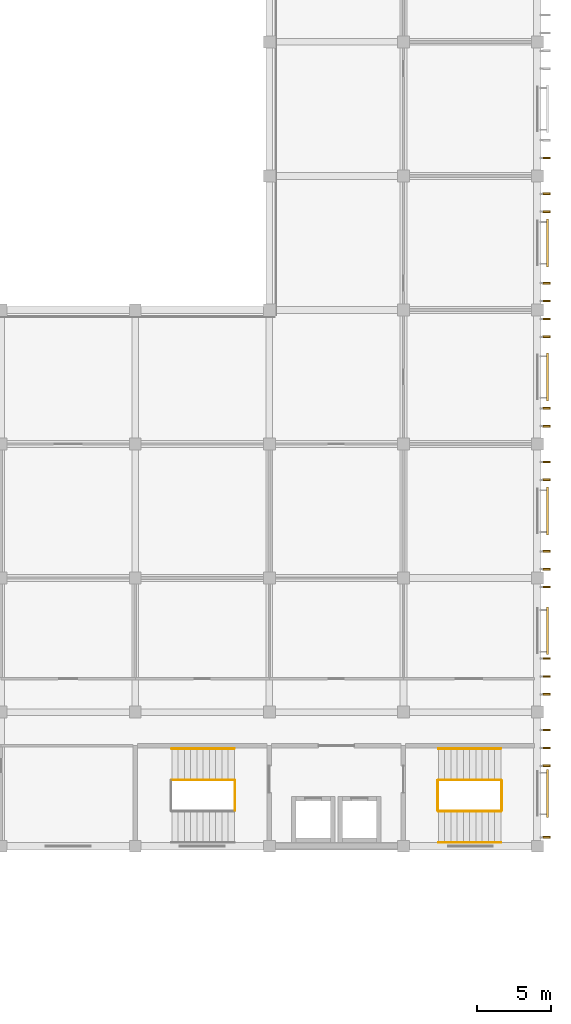
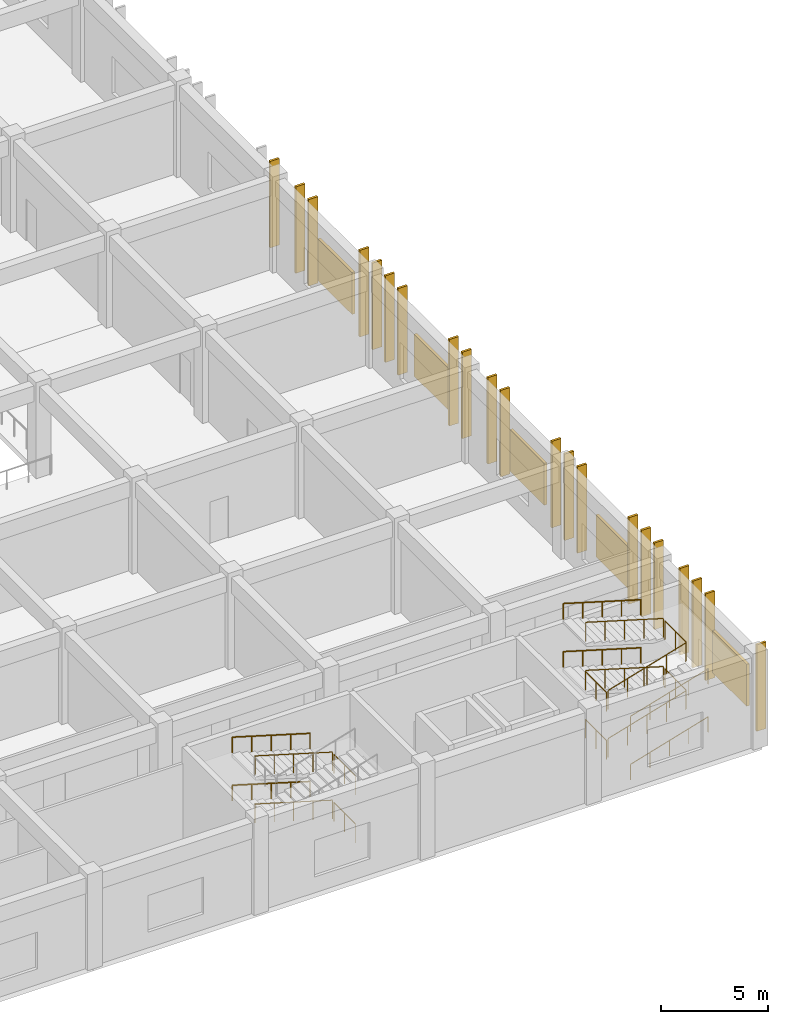
# One storey, part 430 of 437: 21 coverings, 18 railings, 5 shading devices.
"""IFC4 building model written with IfcOpenShell, lengths in metres."""

from ifc_helpers import new_model, si_unit, direction, frame, origin, origin_2d, place, context, subcontext, project, spatial, rectangle, circle, extrude, material, layer, layer_set, constituent, constituent_set, type_object, element, save


model = new_model("IFC4")

# Units and contexts
model_context = context("Model", 3, precision=1e-05, world=origin(), true_north=direction((0.0, 1.0)))
body_context = subcontext(model_context, "Body", "Model", "MODEL_VIEW")
ifc_project = project(units=[si_unit("LENGTHUNIT", "METRE"), si_unit("AREAUNIT", "SQUARE_METRE"), si_unit("VOLUMEUNIT", "CUBIC_METRE"), si_unit("PLANEANGLEUNIT", "RADIAN"), si_unit("MASSUNIT", "GRAM", prefix="KILO")], contexts=[model_context])

# Site, building, storey
site_placement = place(None, origin())
site = spatial("IfcSite", under=ifc_project, at=site_placement, CompositionType="ELEMENT")
building_placement = place(site_placement, origin())
building = spatial("IfcBuilding", under=site, at=building_placement, Name="Opaline Strait Convention Centre", CompositionType="ELEMENT")
storey_placement = place(building_placement, frame((0.0, 0.0, 11.5)))
storey = spatial("IfcBuildingStorey", under=building, at=storey_placement, Name="L02", CompositionType="ELEMENT", Elevation=11.5)

# Railings
ifc_material_1 = material(Name="Steel Q235B", Category="steel")
ifc_constituent_1 = constituent(ifc_material_1, Name="Frame")
ifc_material_2 = material(Name="Safety glass, bonded interlayer", Category="glass")
ifc_constituent_2 = constituent(ifc_material_2, Name="Infill")
ifc_constituent_set = constituent_set(constituents=[ifc_constituent_1, ifc_constituent_2], Name="Steel Q235B, Safety glass, bonded interlayer")
railing_type_1 = type_object("IfcRailingType", Name="Guard 1100 steel and glass", PredefinedType="GUARDRAIL", material=ifc_constituent_set)
railing_1_placement = place(storey_placement, frame((353.349853515625, 92.349853515625, 0.125)))
element("IfcRailing", 1, at=railing_1_placement, inside=storey, type_object=railing_type_1, Name="L02 S3 stair guard 1", PredefinedType="GUARDRAIL", context=body_context, shape_type="SweptSolid", body=[
    extrude(circle(Radius=0.02392578125, at=origin_2d()), frame((0.0, 0.0, 1.076171875), z_axis=(0.958451171748, 0.0, 0.285256641246), x_axis=(0.0, 1.0, 0.0)), (0.0, 0.0, 1.0), 4.382080078125),
    extrude(circle(Radius=0.02099609375, at=origin_2d()), origin(), (0.0, 0.0, 1.0), 1.052001953125),
    extrude(circle(Radius=0.02099609375, at=origin_2d()), frame((1.050048828125, 0.0, 0.3125)), (0.0, 0.0, 1.0), 1.052001953125),
    extrude(circle(Radius=0.02099609375, at=origin_2d()), frame((2.10009765625, 0.0, 0.625)), (0.0, 0.0, 1.0), 1.052001953125),
    extrude(circle(Radius=0.02099609375, at=origin_2d()), frame((3.14990234375, 0.0, 0.9375)), (0.0, 0.0, 1.0), 1.052001953125),
    extrude(circle(Radius=0.02099609375, at=origin_2d()), frame((4.199951171875, 0.0, 1.25)), (0.0, 0.0, 1.0), 1.052001953125),
])
railing_2_placement = place(storey_placement, frame((357.599853515625, 92.39990234375, 1.375)))
element("IfcRailing", 2, at=railing_2_placement, inside=storey, type_object=railing_type_1, Name="L02 S3 stair guard 2", PredefinedType="GUARDRAIL", context=body_context, shape_type="SweptSolid", body=[
    extrude(circle(Radius=0.02392578125, at=origin_2d()), frame((0.0, 0.0, 1.076171875), z_axis=(0.0, 1.0, 0.0), x_axis=(-1.0, 0.0, 0.0)), (0.0, 0.0, 1.0), 2.0),
    extrude(circle(Radius=0.02099609375, at=origin_2d()), origin(), (0.0, 0.0, 1.0), 1.052001953125),
    extrude(circle(Radius=0.02099609375, at=origin_2d()), frame((0.0, 1.0, 0.0)), (0.0, 0.0, 1.0), 1.052001953125),
    extrude(circle(Radius=0.02099609375, at=origin_2d()), frame((0.0, 2.0, 0.0)), (0.0, 0.0, 1.0), 1.052001953125),
])
railing_3_placement = place(storey_placement, frame((357.5498046875, 94.449951171875, 1.5)))
element("IfcRailing", 3, at=railing_3_placement, inside=storey, type_object=railing_type_1, Name="L02 S3 stair guard 3", PredefinedType="GUARDRAIL", context=body_context, shape_type="SweptSolid", body=[
    extrude(circle(Radius=0.02392578125, at=origin_2d()), frame((0.0, 0.0, 1.076171875), z_axis=(-0.958451171748, 0.0, 0.285256641246), x_axis=(0.0, -1.0, 0.0)), (0.0, 0.0, 1.0), 4.382080078125),
    extrude(circle(Radius=0.02099609375, at=origin_2d()), origin(), (0.0, 0.0, 1.0), 1.052001953125),
    extrude(circle(Radius=0.02099609375, at=origin_2d()), frame((-1.050048828125, 0.0, 0.3125)), (0.0, 0.0, 1.0), 1.052001953125),
    extrude(circle(Radius=0.02099609375, at=origin_2d()), frame((-2.10009765625, 0.0, 0.625)), (0.0, 0.0, 1.0), 1.052001953125),
    extrude(circle(Radius=0.02099609375, at=origin_2d()), frame((-3.14990234375, 0.0, 0.9375)), (0.0, 0.0, 1.0), 1.052001953125),
    extrude(circle(Radius=0.02099609375, at=origin_2d()), frame((-4.199951171875, 0.0, 1.25)), (0.0, 0.0, 1.0), 1.052001953125),
])
railing_4_placement = place(storey_placement, frame((353.2998046875, 92.39990234375, 2.75)))
element("IfcRailing", 4, at=railing_4_placement, inside=storey, type_object=railing_type_1, Name="L02 S3 stair guard 4", PredefinedType="GUARDRAIL", context=body_context, shape_type="SweptSolid", body=[
    extrude(circle(Radius=0.02392578125, at=origin_2d()), frame((0.0, 0.0, 1.076171875), z_axis=(0.0, 1.0, 0.0), x_axis=(-1.0, 0.0, 0.0)), (0.0, 0.0, 1.0), 2.0),
    extrude(circle(Radius=0.02099609375, at=origin_2d()), origin(), (0.0, 0.0, 1.0), 1.052001953125),
    extrude(circle(Radius=0.02099609375, at=origin_2d()), frame((0.0, 1.0, 0.0)), (0.0, 0.0, 1.0), 1.052001953125),
    extrude(circle(Radius=0.02099609375, at=origin_2d()), frame((0.0, 2.0, 0.0)), (0.0, 0.0, 1.0), 1.052001953125),
])
railing_5_placement = place(storey_placement, frame((353.349853515625, 92.349853515625, 2.875)))
element("IfcRailing", 5, at=railing_5_placement, inside=storey, type_object=railing_type_1, Name="L02 S3 stair guard 5", PredefinedType="GUARDRAIL", context=body_context, shape_type="SweptSolid", body=[
    extrude(circle(Radius=0.02392578125, at=origin_2d()), frame((0.0, 0.0, 1.076171875), z_axis=(0.958451171748, 0.0, 0.285256641246), x_axis=(0.0, 1.0, 0.0)), (0.0, 0.0, 1.0), 4.382080078125),
    extrude(circle(Radius=0.02099609375, at=origin_2d()), origin(), (0.0, 0.0, 1.0), 1.052001953125),
    extrude(circle(Radius=0.02099609375, at=origin_2d()), frame((1.050048828125, 0.0, 0.3125)), (0.0, 0.0, 1.0), 1.052001953125),
    extrude(circle(Radius=0.02099609375, at=origin_2d()), frame((2.10009765625, 0.0, 0.625)), (0.0, 0.0, 1.0), 1.052001953125),
    extrude(circle(Radius=0.02099609375, at=origin_2d()), frame((3.14990234375, 0.0, 0.9375)), (0.0, 0.0, 1.0), 1.052001953125),
    extrude(circle(Radius=0.02099609375, at=origin_2d()), frame((4.199951171875, 0.0, 1.25)), (0.0, 0.0, 1.0), 1.052001953125),
])
railing_6_placement = place(storey_placement, frame((357.599853515625, 92.39990234375, 4.125)))
element("IfcRailing", 6, at=railing_6_placement, inside=storey, type_object=railing_type_1, Name="L02 S3 stair guard 6", PredefinedType="GUARDRAIL", context=body_context, shape_type="SweptSolid", body=[
    extrude(circle(Radius=0.02392578125, at=origin_2d()), frame((0.0, 0.0, 1.076171875), z_axis=(0.0, 1.0, 0.0), x_axis=(-1.0, 0.0, 0.0)), (0.0, 0.0, 1.0), 2.0),
    extrude(circle(Radius=0.02099609375, at=origin_2d()), origin(), (0.0, 0.0, 1.0), 1.052001953125),
    extrude(circle(Radius=0.02099609375, at=origin_2d()), frame((0.0, 1.0, 0.0)), (0.0, 0.0, 1.0), 1.052001953125),
    extrude(circle(Radius=0.02099609375, at=origin_2d()), frame((0.0, 2.0, 0.0)), (0.0, 0.0, 1.0), 1.052001953125),
])
railing_7_placement = place(storey_placement, frame((357.5498046875, 94.449951171875, 4.25)))
element("IfcRailing", 7, at=railing_7_placement, inside=storey, type_object=railing_type_1, Name="L02 S3 stair guard 7", PredefinedType="GUARDRAIL", context=body_context, shape_type="SweptSolid", body=[
    extrude(circle(Radius=0.02392578125, at=origin_2d()), frame((0.0, 0.0, 1.076171875), z_axis=(-0.958451171748, 0.0, 0.285256641246), x_axis=(0.0, -1.0, 0.0)), (0.0, 0.0, 1.0), 4.382080078125),
    extrude(circle(Radius=0.02099609375, at=origin_2d()), origin(), (0.0, 0.0, 1.0), 1.052001953125),
    extrude(circle(Radius=0.02099609375, at=origin_2d()), frame((-1.050048828125, 0.0, 0.3125)), (0.0, 0.0, 1.0), 1.052001953125),
    extrude(circle(Radius=0.02099609375, at=origin_2d()), frame((-2.10009765625, 0.0, 0.625)), (0.0, 0.0, 1.0), 1.052001953125),
    extrude(circle(Radius=0.02099609375, at=origin_2d()), frame((-3.14990234375, 0.0, 0.9375)), (0.0, 0.0, 1.0), 1.052001953125),
    extrude(circle(Radius=0.02099609375, at=origin_2d()), frame((-4.199951171875, 0.0, 1.25)), (0.0, 0.0, 1.0), 1.052001953125),
])
railing_8_placement = place(storey_placement, frame((353.2998046875, 92.39990234375, 0.0)))
element("IfcRailing", 8, at=railing_8_placement, inside=storey, type_object=railing_type_1, Name="L02 S3 stair guard 8", PredefinedType="GUARDRAIL", context=body_context, shape_type="SweptSolid", body=[
    extrude(circle(Radius=0.02392578125, at=origin_2d()), frame((0.0, 0.0, 1.076171875), z_axis=(0.0, 1.0, 0.0), x_axis=(-1.0, 0.0, 0.0)), (0.0, 0.0, 1.0), 2.0),
    extrude(circle(Radius=0.02099609375, at=origin_2d()), origin(), (0.0, 0.0, 1.0), 1.052001953125),
    extrude(circle(Radius=0.02099609375, at=origin_2d()), frame((0.0, 1.0, 0.0)), (0.0, 0.0, 1.0), 1.052001953125),
    extrude(circle(Radius=0.02099609375, at=origin_2d()), frame((0.0, 2.0, 0.0)), (0.0, 0.0, 1.0), 1.052001953125),
])
railing_9_placement = place(storey_placement, frame((339.650146484375, 94.4501953125, 0.125)))
element("IfcRailing", 9, at=railing_9_placement, inside=storey, type_object=railing_type_1, Name="L02 S4 stair guard 1", PredefinedType="GUARDRAIL", context=body_context, shape_type="SweptSolid", body=[
    extrude(circle(Radius=0.02392578125, at=origin_2d()), frame((0.0, 0.0, 1.076171875), z_axis=(-0.958451171748, 0.0, 0.285256641246), x_axis=(0.0, -1.0, 0.0)), (0.0, 0.0, 1.0), 4.382080078125),
    extrude(circle(Radius=0.02099609375, at=origin_2d()), origin(), (0.0, 0.0, 1.0), 1.052001953125),
    extrude(circle(Radius=0.02099609375, at=origin_2d()), frame((-1.050048828125, 0.0, 0.3125)), (0.0, 0.0, 1.0), 1.052001953125),
    extrude(circle(Radius=0.02099609375, at=origin_2d()), frame((-2.10009765625, 0.0, 0.625)), (0.0, 0.0, 1.0), 1.052001953125),
    extrude(circle(Radius=0.02099609375, at=origin_2d()), frame((-3.14990234375, 0.0, 0.9375)), (0.0, 0.0, 1.0), 1.052001953125),
    extrude(circle(Radius=0.02099609375, at=origin_2d()), frame((-4.199951171875, 0.0, 1.25)), (0.0, 0.0, 1.0), 1.052001953125),
])
railing_10_placement = place(storey_placement, frame((339.7001953125, 94.400146484375, 2.75)))
element("IfcRailing", 10, at=railing_10_placement, inside=storey, type_object=railing_type_1, Name="L02 S4 stair guard 4", PredefinedType="GUARDRAIL", context=body_context, shape_type="SweptSolid", body=[
    extrude(circle(Radius=0.02392578125, at=origin_2d()), frame((0.0, 0.0, 1.076171875), z_axis=(0.0, -1.0, 0.0), x_axis=(1.0, 0.0, 0.0)), (0.0, 0.0, 1.0), 2.0),
    extrude(circle(Radius=0.02099609375, at=origin_2d()), origin(), (0.0, 0.0, 1.0), 1.052001953125),
    extrude(circle(Radius=0.02099609375, at=origin_2d()), frame((0.0, -1.0, 0.0)), (0.0, 0.0, 1.0), 1.052001953125),
    extrude(circle(Radius=0.02099609375, at=origin_2d()), frame((0.0, -2.0, 0.0)), (0.0, 0.0, 1.0), 1.052001953125),
])
railing_11_placement = place(storey_placement, frame((339.650146484375, 94.4501953125, 2.875)))
element("IfcRailing", 11, at=railing_11_placement, inside=storey, type_object=railing_type_1, Name="L02 S4 stair guard 5", PredefinedType="GUARDRAIL", context=body_context, shape_type="SweptSolid", body=[
    extrude(circle(Radius=0.02392578125, at=origin_2d()), frame((0.0, 0.0, 1.076171875), z_axis=(-0.958451171748, 0.0, 0.285256641246), x_axis=(0.0, -1.0, 0.0)), (0.0, 0.0, 1.0), 4.382080078125),
    extrude(circle(Radius=0.02099609375, at=origin_2d()), origin(), (0.0, 0.0, 1.0), 1.052001953125),
    extrude(circle(Radius=0.02099609375, at=origin_2d()), frame((-1.050048828125, 0.0, 0.3125)), (0.0, 0.0, 1.0), 1.052001953125),
    extrude(circle(Radius=0.02099609375, at=origin_2d()), frame((-2.10009765625, 0.0, 0.625)), (0.0, 0.0, 1.0), 1.052001953125),
    extrude(circle(Radius=0.02099609375, at=origin_2d()), frame((-3.14990234375, 0.0, 0.9375)), (0.0, 0.0, 1.0), 1.052001953125),
    extrude(circle(Radius=0.02099609375, at=origin_2d()), frame((-4.199951171875, 0.0, 1.25)), (0.0, 0.0, 1.0), 1.052001953125),
])
railing_12_placement = place(storey_placement, frame((339.7001953125, 94.400146484375, 0.0)))
element("IfcRailing", 12, at=railing_12_placement, inside=storey, type_object=railing_type_1, Name="L02 S4 stair guard 8", PredefinedType="GUARDRAIL", context=body_context, shape_type="SweptSolid", body=[
    extrude(circle(Radius=0.02392578125, at=origin_2d()), frame((0.0, 0.0, 1.076171875), z_axis=(0.0, -1.0, 0.0), x_axis=(1.0, 0.0, 0.0)), (0.0, 0.0, 1.0), 2.0),
    extrude(circle(Radius=0.02099609375, at=origin_2d()), origin(), (0.0, 0.0, 1.0), 1.052001953125),
    extrude(circle(Radius=0.02099609375, at=origin_2d()), frame((0.0, -1.0, 0.0)), (0.0, 0.0, 1.0), 1.052001953125),
    extrude(circle(Radius=0.02099609375, at=origin_2d()), frame((0.0, -2.0, 0.0)), (0.0, 0.0, 1.0), 1.052001953125),
])
ifc_material_3 = material(Name="Stainless steel 304", Category="steel")
railing_type_2 = type_object("IfcRailingType", Name="Stair handrail 900 stainless steel", PredefinedType="HANDRAIL", material=ifc_material_3)
railing_13_placement = place(storey_placement, frame((353.349853515625, 90.25, 0.125)))
element("IfcRailing", 13, at=railing_13_placement, inside=storey, type_object=railing_type_2, Name="L02 S3 stair handrail 1", PredefinedType="HANDRAIL", context=body_context, shape_type="SweptSolid", body=[
    extrude(circle(Radius=0.02392578125, at=origin_2d()), frame((0.0, 0.0, 0.8759765625), z_axis=(0.958451171748, 0.0, 0.285256641246), x_axis=(0.0, 1.0, 0.0)), (0.0, 0.0, 1.0), 4.382080078125),
    extrude(circle(Radius=0.02099609375, at=origin_2d()), origin(), (0.0, 0.0, 1.0), 0.851806640625),
    extrude(circle(Radius=0.02099609375, at=origin_2d()), frame((1.050048828125, 0.0, 0.3125)), (0.0, 0.0, 1.0), 0.851806640625),
    extrude(circle(Radius=0.02099609375, at=origin_2d()), frame((2.10009765625, 0.0, 0.625)), (0.0, 0.0, 1.0), 0.851806640625),
    extrude(circle(Radius=0.02099609375, at=origin_2d()), frame((3.14990234375, 0.0, 0.9375)), (0.0, 0.0, 1.0), 0.851806640625),
    extrude(circle(Radius=0.02099609375, at=origin_2d()), frame((4.199951171875, 0.0, 1.25)), (0.0, 0.0, 1.0), 0.851806640625),
])
railing_14_placement = place(storey_placement, frame((357.5498046875, 96.550048828125, 1.5)))
element("IfcRailing", 14, at=railing_14_placement, inside=storey, type_object=railing_type_2, Name="L02 S3 stair handrail 2", PredefinedType="HANDRAIL", context=body_context, shape_type="SweptSolid", body=[
    extrude(circle(Radius=0.02392578125, at=origin_2d()), frame((0.0, 0.0, 0.8759765625), z_axis=(-0.958451171748, 0.0, 0.285256641246), x_axis=(0.0, -1.0, 0.0)), (0.0, 0.0, 1.0), 4.382080078125),
    extrude(circle(Radius=0.02099609375, at=origin_2d()), origin(), (0.0, 0.0, 1.0), 0.851806640625),
    extrude(circle(Radius=0.02099609375, at=origin_2d()), frame((-1.050048828125, 0.0, 0.3125)), (0.0, 0.0, 1.0), 0.851806640625),
    extrude(circle(Radius=0.02099609375, at=origin_2d()), frame((-2.10009765625, 0.0, 0.625)), (0.0, 0.0, 1.0), 0.851806640625),
    extrude(circle(Radius=0.02099609375, at=origin_2d()), frame((-3.14990234375, 0.0, 0.9375)), (0.0, 0.0, 1.0), 0.851806640625),
    extrude(circle(Radius=0.02099609375, at=origin_2d()), frame((-4.199951171875, 0.0, 1.25)), (0.0, 0.0, 1.0), 0.851806640625),
])
railing_15_placement = place(storey_placement, frame((353.349853515625, 90.25, 2.875)))
element("IfcRailing", 15, at=railing_15_placement, inside=storey, type_object=railing_type_2, Name="L02 S3 stair handrail 3", PredefinedType="HANDRAIL", context=body_context, shape_type="SweptSolid", body=[
    extrude(circle(Radius=0.02392578125, at=origin_2d()), frame((0.0, 0.0, 0.8759765625), z_axis=(0.958451171748, 0.0, 0.285256641246), x_axis=(0.0, 1.0, 0.0)), (0.0, 0.0, 1.0), 4.382080078125),
    extrude(circle(Radius=0.02099609375, at=origin_2d()), origin(), (0.0, 0.0, 1.0), 0.851806640625),
    extrude(circle(Radius=0.02099609375, at=origin_2d()), frame((1.050048828125, 0.0, 0.3125)), (0.0, 0.0, 1.0), 0.851806640625),
    extrude(circle(Radius=0.02099609375, at=origin_2d()), frame((2.10009765625, 0.0, 0.625)), (0.0, 0.0, 1.0), 0.851806640625),
    extrude(circle(Radius=0.02099609375, at=origin_2d()), frame((3.14990234375, 0.0, 0.9375)), (0.0, 0.0, 1.0), 0.851806640625),
    extrude(circle(Radius=0.02099609375, at=origin_2d()), frame((4.199951171875, 0.0, 1.25)), (0.0, 0.0, 1.0), 0.851806640625),
])
for number, where, name in (
    (16, (357.5498046875, 96.550048828125, 4.25), "L02 S3 stair handrail 4"),
    (17, (339.650146484375, 96.550048828125, 0.125), "L02 S4 stair handrail 1"),
    (18, (339.650146484375, 96.550048828125, 2.875), "L02 S4 stair handrail 3"),
):
    element("IfcRailing", number, at=place(storey_placement, frame(where)), inside=storey, type_object=railing_type_2, Name=name, PredefinedType="HANDRAIL", context=body_context, shape_type="SweptSolid", body=[
        extrude(circle(Radius=0.02392578125, at=origin_2d()), frame((0.0, 0.0, 0.8759765625), z_axis=(-0.958451171748, 0.0, 0.285256641246), x_axis=(0.0, -1.0, 0.0)), (0.0, 0.0, 1.0), 4.382080078125),
        extrude(circle(Radius=0.02099609375, at=origin_2d()), origin(), (0.0, 0.0, 1.0), 0.851806640625),
        extrude(circle(Radius=0.02099609375, at=origin_2d()), frame((-1.050048828125, 0.0, 0.3125)), (0.0, 0.0, 1.0), 0.851806640625),
        extrude(circle(Radius=0.02099609375, at=origin_2d()), frame((-2.10009765625, 0.0, 0.625)), (0.0, 0.0, 1.0), 0.851806640625),
        extrude(circle(Radius=0.02099609375, at=origin_2d()), frame((-3.14990234375, 0.0, 0.9375)), (0.0, 0.0, 1.0), 0.851806640625),
        extrude(circle(Radius=0.02099609375, at=origin_2d()), frame((-4.199951171875, 0.0, 1.25)), (0.0, 0.0, 1.0), 0.851806640625),
    ])

# Shading devices
ifc_material_4 = material(Name="Aluminium alloy 6063-T5", Category="aluminium")
ifc_layer_1 = layer(ifc_material_4, 0.14990234375)
ifc_layer_set_1 = layer_set([ifc_layer_1], Name="Aluminium alloy 6063-T5")
shading_device_type = type_object("IfcShadingDeviceType", Name="Storm louvre 3200 x 2400 aluminium", PredefinedType="JALOUSIE", material=ifc_layer_set_1)
for number, where, z_axis, x_axis, name in (
    (19, (360.675048828125, 93.53759765625, 0.75), (0.0, 0.0, 1.0), (1.0, 0.0, 0.0), "Storm louvre L02"),
    (20, (360.675048828125, 104.46240234375, 0.75), (0.0, 0.0, 1.0), (1.0, 0.0, 0.0), "Storm louvre L02"),
    (21, (360.675048828125, 112.5, 0.75), (0.0, 0.0, 1.0), (1.0, 0.0, 0.0), "Storm louvre L02"),
    (22, (360.675048828125, 121.5, 0.75), (0.0, 0.0, 1.0), (1.0, 0.0, 0.0), "Storm louvre L02"),
    (23, (360.675048828125, 130.5, 0.75), (0.0, 0.0, 1.0), (1.0, 0.0, 0.0), "Storm louvre L02"),
):
    element("IfcShadingDevice", number, at=place(storey_placement, frame(where, z_axis=z_axis, x_axis=x_axis)), inside=storey, type_object=shading_device_type, Name=name, PredefinedType="JALOUSIE", context=body_context, shape_type="SweptSolid", body=[
        extrude(rectangle(XDim=0.14990234375, YDim=3.199951171875, at=origin_2d()), origin(), (0.0, 0.0, 1.0), 2.39990234375),
    ])

# Coverings
ifc_layer_2 = layer(ifc_material_4, 0.1201171875)
ifc_layer_set_2 = layer_set([ifc_layer_2], Name="Aluminium alloy 6063-T5")
covering_type = type_object("IfcCoveringType", Name="Storm louvre fin 120 x 500 aluminium", PredefinedType="CLADDING", material=ifc_layer_set_2)
for number, where, z_axis, x_axis, name in (
    (24, (360.60009765625, 90.60009765625, 0.25), (0.0, 0.0, 1.0), (1.0, 0.0, 0.0), "Storm louvre fin E L02"),
    (25, (360.60009765625, 95.39990234375, 0.25), (0.0, 0.0, 1.0), (1.0, 0.0, 0.0), "Storm louvre fin E L02"),
    (26, (360.60009765625, 96.60009765625, 0.25), (0.0, 0.0, 1.0), (1.0, 0.0, 0.0), "Storm louvre fin E L02"),
    (27, (360.60009765625, 97.800048828125, 0.25), (0.0, 0.0, 1.0), (1.0, 0.0, 0.0), "Storm louvre fin E L02"),
    (28, (360.60009765625, 100.199951171875, 0.25), (0.0, 0.0, 1.0), (1.0, 0.0, 0.0), "Storm louvre fin E L02"),
    (29, (360.60009765625, 101.39990234375, 0.25), (0.0, 0.0, 1.0), (1.0, 0.0, 0.0), "Storm louvre fin E L02"),
    (30, (360.60009765625, 102.60009765625, 0.25), (0.0, 0.0, 1.0), (1.0, 0.0, 0.0), "Storm louvre fin E L02"),
    (31, (360.60009765625, 107.39990234375, 0.25), (0.0, 0.0, 1.0), (1.0, 0.0, 0.0), "Storm louvre fin E L02"),
    (32, (360.60009765625, 108.60009765625, 0.25), (0.0, 0.0, 1.0), (1.0, 0.0, 0.0), "Storm louvre fin E L02"),
    (33, (360.60009765625, 109.800048828125, 0.25), (0.0, 0.0, 1.0), (1.0, 0.0, 0.0), "Storm louvre fin E L02"),
    (34, (360.60009765625, 114.60009765625, 0.25), (0.0, 0.0, 1.0), (1.0, 0.0, 0.0), "Storm louvre fin E L02"),
    (35, (360.60009765625, 115.800048828125, 0.25), (0.0, 0.0, 1.0), (1.0, 0.0, 0.0), "Storm louvre fin E L02"),
    (36, (360.60009765625, 118.199951171875, 0.25), (0.0, 0.0, 1.0), (1.0, 0.0, 0.0), "Storm louvre fin E L02"),
    (37, (360.60009765625, 119.39990234375, 0.25), (0.0, 0.0, 1.0), (1.0, 0.0, 0.0), "Storm louvre fin E L02"),
    (38, (360.60009765625, 124.199951171875, 0.25), (0.0, 0.0, 1.0), (1.0, 0.0, 0.0), "Storm louvre fin E L02"),
    (39, (360.60009765625, 125.39990234375, 0.25), (0.0, 0.0, 1.0), (1.0, 0.0, 0.0), "Storm louvre fin E L02"),
    (40, (360.60009765625, 126.60009765625, 0.25), (0.0, 0.0, 1.0), (1.0, 0.0, 0.0), "Storm louvre fin E L02"),
    (41, (360.60009765625, 127.800048828125, 0.25), (0.0, 0.0, 1.0), (1.0, 0.0, 0.0), "Storm louvre fin E L02"),
    (42, (360.60009765625, 132.60009765625, 0.25), (0.0, 0.0, 1.0), (1.0, 0.0, 0.0), "Storm louvre fin E L02"),
    (43, (360.60009765625, 133.800048828125, 0.25), (0.0, 0.0, 1.0), (1.0, 0.0, 0.0), "Storm louvre fin E L02"),
    (44, (360.60009765625, 136.199951171875, 0.25), (0.0, 0.0, 1.0), (1.0, 0.0, 0.0), "Storm louvre fin E L02"),
):
    element("IfcCovering", number, at=place(storey_placement, frame(where, z_axis=z_axis, x_axis=x_axis)), inside=storey, type_object=covering_type, Name=name, PredefinedType="CLADDING", context=body_context, shape_type="SweptSolid", body=[
        extrude(rectangle(XDim=0.5, YDim=0.1201171875, at=origin_2d()), origin(), (0.0, 0.0, 1.0), 4.949951171875),
    ])

save(model, "model.ifc")
